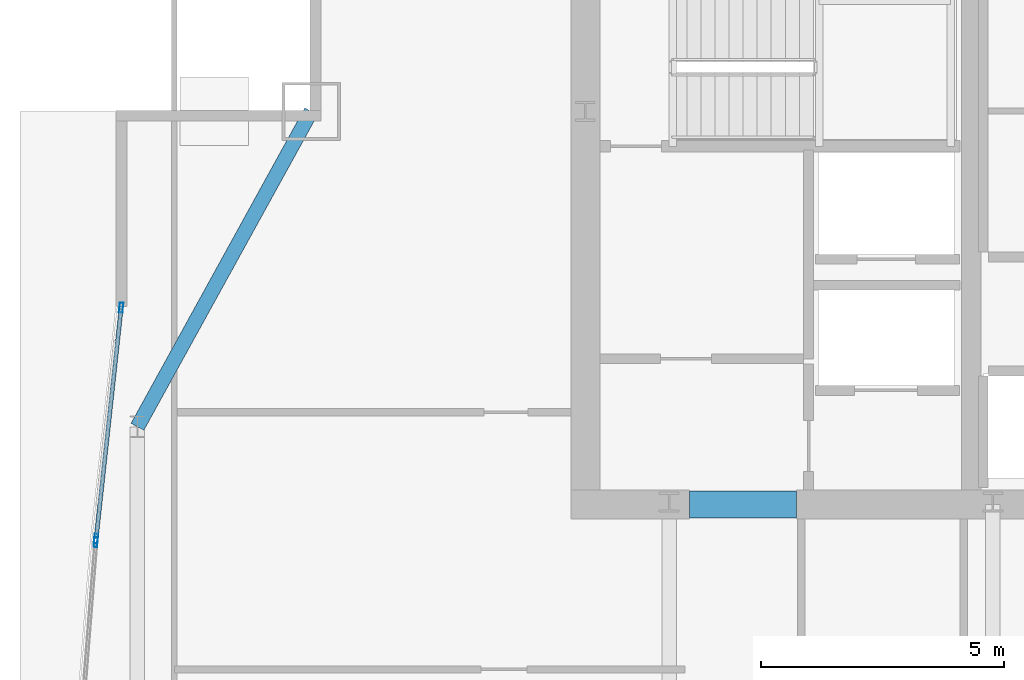
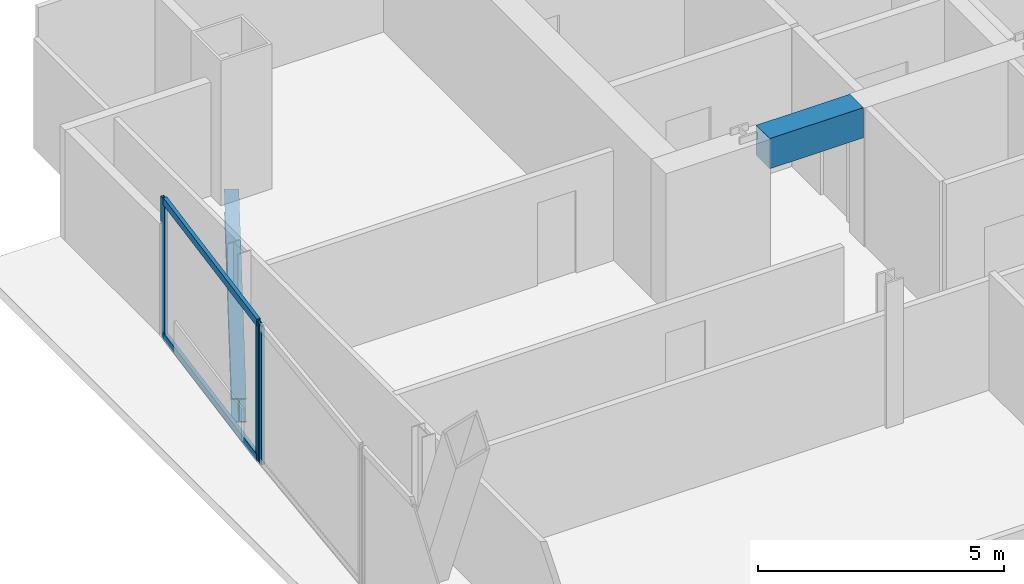
# One storey, part 21 of 32: 5 members, 2 beams, 2 elements without a shape of their own.
"""IFC4 building model written with IfcOpenShell, lengths in metres."""

from ifc_helpers import new_model, si_unit, direction, frame, origin, origin_2d, place, context, subcontext, project, spatial, rectangle, hollow_rectangle, i_section, extrude, material, material_profile, profile_set, type_object, element, aggregate, save


model = new_model("IFC4")

# Units and contexts
model_context = context("Model", 3, precision=1e-05, world=origin(), true_north=direction((0.0, 1.0)))
body_context = subcontext(model_context, "Body", "Model", "MODEL_VIEW")
ifc_project = project(units=[si_unit("LENGTHUNIT", "METRE"), si_unit("AREAUNIT", "SQUARE_METRE"), si_unit("VOLUMEUNIT", "CUBIC_METRE"), si_unit("PLANEANGLEUNIT", "RADIAN"), si_unit("MASSUNIT", "GRAM", prefix="KILO")], contexts=[model_context])

# Site, building, storey
site_placement = place(None, origin())
site = spatial("IfcSite", under=ifc_project, at=site_placement, CompositionType="ELEMENT")
building_placement = place(site_placement, origin())
building = spatial("IfcBuilding", under=site, at=building_placement, Name="Khoronbel Lancet Exchange", CompositionType="ELEMENT")
storey_placement = place(building_placement, frame((0.0, 0.0, 188.60009765625)))
storey = spatial("IfcBuildingStorey", under=building, at=storey_placement, Name="L47", CompositionType="ELEMENT", Elevation=188.60009765625)

# Beams
ifc_material_1 = material(Name="Concrete C60/75", Category="concrete")
ifc_material_profile_1 = material_profile(ifc_material_1, rectangle(XDim=0.550048828125, YDim=0.75, at=origin_2d()), Name="RC 550x750")
ifc_profile_set_1 = profile_set([ifc_material_profile_1], Name="Concrete C60/75")
beam_type_1 = type_object("IfcBeamType", Name="BM-BL2", PredefinedType="LINTEL", material=ifc_profile_set_1)
beam_1_placement = place(storey_placement, frame((18.64990234375, 41.60009765625, 3.06494140625), z_axis=(1.0, 0.0, 0.0), x_axis=(0.0, 1.0, 0.0)))
element("IfcBeam", 1, at=beam_1_placement, inside=storey, type_object=beam_type_1, Name="Level L47 rear core coupling lintel L1", PredefinedType="LINTEL", context=body_context, shape_type="SweptSolid", body=[
    extrude(rectangle(XDim=0.550048828125, YDim=0.75, at=origin_2d()), origin(), (0.0, 0.0, 1.0), 2.2001953125),
])
ifc_material_2 = material(Name="Steel S355", Category="steel")
ifc_material_profile_2 = material_profile(ifc_material_2, i_section(OverallWidth=0.300048828125, OverallDepth=0.60009765625, WebThickness=0.015380859375, FlangeThickness=0.030029296875, at=origin_2d()), Name="HEB 600")
ifc_profile_set_2 = profile_set([ifc_material_profile_2], Name="Steel S355")
beam_type_2 = type_object("IfcBeamType", Name="BM-BSP2", PredefinedType="SPANDREL", material=ifc_profile_set_2)
beam_2_placement = place(storey_placement, frame((10.85009765625, 49.699951171875, -0.460205078125), z_axis=(-0.482444051088, -0.875926787791, 0.0), x_axis=(0.875926787791, -0.482444051088, 0.0)))
element("IfcBeam", 2, at=beam_2_placement, inside=storey, type_object=beam_type_2, Name="Level L47 perimeter spandrel beam SP14", PredefinedType="SPANDREL", context=body_context, shape_type="SweptSolid", body=[
    extrude(i_section(OverallWidth=0.300048828125, OverallDepth=0.60009765625, WebThickness=0.015380859375, FlangeThickness=0.030029296875, at=origin_2d()), origin(), (0.0, 0.0, 1.0), 7.420654296875),
])

# Curtain wall, member
ifc_material_3 = material(Name="Low-E Solar Control Insulating Glass", Category="glass")
curtain_wall_type = type_object("IfcCurtainWallType", Name="CW-4", PredefinedType="NOTDEFINED", material=ifc_material_3)
curtain_wall_1_placement = place(storey_placement, origin())
curtain_wall_1 = element("IfcCurtainWall", 3, at=curtain_wall_1_placement, inside=storey, type_object=curtain_wall_type, Name="Unitised curtain wall CW-L47-E08", PredefinedType="NOTDEFINED")
ifc_material_4 = material(Name="Bronze-Anodised Aluminium 6063-T6", Category="aluminium")
ifc_material_profile_3 = material_profile(ifc_material_4, hollow_rectangle(XDim=0.074951171875, YDim=0.199951171875, WallThickness=0.0048828125, at=origin_2d()), Name="ALU MULLION 75x200")
ifc_profile_set_3 = profile_set([ifc_material_profile_3], Name="Bronze-Anodised Aluminium 6063-T6")
member_type_1 = type_object("IfcMemberType", Name="MEM-CWM2", PredefinedType="MULLION", material=ifc_profile_set_3)
member_1_placement = place(storey_placement, frame((6.41162109375, 40.82080078125, 0.0), z_axis=(0.0, 0.0, 1.0), x_axis=(-0.996854401909, 0.079254661653, 0.0)))
member_1 = element("IfcMember", 4, at=member_1_placement, type_object=member_type_1, Name="CW4 mullion 2", PredefinedType="MULLION", context=body_context, shape_type="SweptSolid", body=[
    extrude(hollow_rectangle(XDim=0.074951171875, YDim=0.199951171875, WallThickness=0.0048828125, at=origin_2d()), origin(), (0.0, 0.0, 1.0), 3.43994140625),
])
aggregate(curtain_wall_1, [member_1])

# Curtain wall, members
curtain_wall_2_placement = place(storey_placement, origin())
curtain_wall_2 = element("IfcCurtainWall", 5, at=curtain_wall_2_placement, inside=storey, type_object=curtain_wall_type, Name="Unitised curtain wall CW-L47-E09", PredefinedType="NOTDEFINED")
member_2_placement = place(storey_placement, frame((6.418701171875, 40.8955078125, 0.0), z_axis=(0.0, 0.0, 1.0), x_axis=(-0.994151948799, 0.107990289834, 0.0)))
member_2 = element("IfcMember", 6, at=member_2_placement, type_object=member_type_1, Name="CW4 mullion 1", PredefinedType="MULLION", context=body_context, shape_type="SweptSolid", body=[
    extrude(hollow_rectangle(XDim=0.074951171875, YDim=0.199951171875, WallThickness=0.0048828125, at=origin_2d()), origin(), (0.0, 0.0, 1.0), 3.43994140625),
])
member_3_placement = place(storey_placement, frame((6.93603515625, 45.65771484375, 0.0), z_axis=(0.0, 0.0, 1.0), x_axis=(-0.994151948799, 0.107990289834, 0.0)))
member_3 = element("IfcMember", 7, at=member_3_placement, type_object=member_type_1, Name="CW4 mullion 2", PredefinedType="MULLION", context=body_context, shape_type="SweptSolid", body=[
    extrude(hollow_rectangle(XDim=0.074951171875, YDim=0.199951171875, WallThickness=0.0048828125, at=origin_2d()), origin(), (0.0, 0.0, 1.0), 3.43994140625),
])
ifc_material_profile_4 = material_profile(ifc_material_4, hollow_rectangle(XDim=0.0849609375, YDim=0.179931640625, WallThickness=0.0048828125, at=origin_2d()), Name="ALU TRANSOM 85x180")
ifc_profile_set_4 = profile_set([ifc_material_profile_4], Name="Bronze-Anodised Aluminium 6063-T6")
member_type_2 = type_object("IfcMemberType", Name="MEM-CWT1", PredefinedType="USERDEFINED", material=ifc_profile_set_4)
member_4_placement = place(storey_placement, frame((6.422607421875, 40.932861328125, 0.04248046875), z_axis=(0.108004671949, 0.994150386429, 0.0), x_axis=(-0.994150386429, 0.108004671949, 0.0)))
member_4 = element("IfcMember", 8, at=member_4_placement, type_object=member_type_2, Name="CW4 transom 1.1", ObjectType="TRANSOM", PredefinedType="USERDEFINED", context=body_context, shape_type="SweptSolid", body=[
    extrude(hollow_rectangle(XDim=0.0849609375, YDim=0.179931640625, WallThickness=0.0048828125, at=origin_2d()), origin(), (0.0, 0.0, 1.0), 4.71533203125),
])
member_5_placement = place(storey_placement, frame((6.422607421875, 40.932861328125, 3.3974609375), z_axis=(0.108004671949, 0.994150386429, 0.0), x_axis=(-0.994150386429, 0.108004671949, 0.0)))
member_5 = element("IfcMember", 9, at=member_5_placement, type_object=member_type_2, Name="CW4 transom 1.2", ObjectType="TRANSOM", PredefinedType="USERDEFINED", context=body_context, shape_type="SweptSolid", body=[
    extrude(hollow_rectangle(XDim=0.0849609375, YDim=0.179931640625, WallThickness=0.0048828125, at=origin_2d()), origin(), (0.0, 0.0, 1.0), 4.71533203125),
])
aggregate(curtain_wall_2, [member_2, member_3, member_4, member_5])

save(model, "model.ifc")
